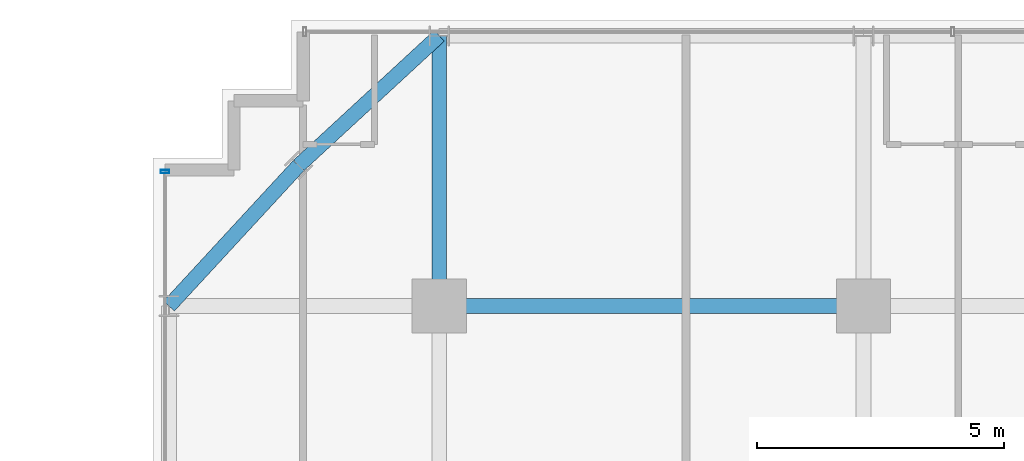
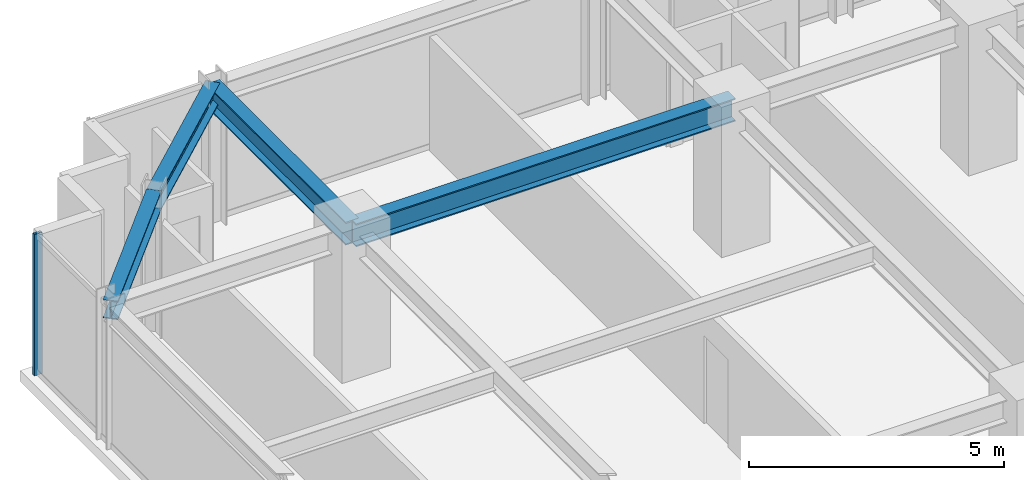
# One storey, part 18 of 31: 4 beams, 1 member, 1 element without a shape of its own.
"""IFC4 building model written with IfcOpenShell, lengths in metres."""

import ifcopenshell
import ifcopenshell.guid

model = None  # the IFC model being written
_history = None  # IfcOwnerHistory: only IFC2X3 demands one
_inside = {}  # id of a spatial element -> (the spatial element, [elements in it])
_under = {}  # id of a project, library or spatial element -> (it, [spatial elements below it])
_declared = {}  # id of a project -> (the project, [libraries it declares])
_typed = {}  # id of a type object -> (the type object, [elements of that type])
_made_of = {}  # id of a material, layer set ... -> (it, [elements and type objects made of it])


def new_model(schema):
    """Start an empty IFC model of exactly this schema.

    Asked for "IFC4X3", IfcOpenShell would pick the latest addendum, in which some entities
    have other attributes; the version numbers below select the first issue.
    IFC2X3 requires an IfcOwnerHistory on every rooted entity: one is made here for all.
    """
    global model, _history
    if schema == "IFC4X3":
        model = ifcopenshell.file(schema_version=(4, 3, 0, 0))
    else:
        model = ifcopenshell.file(schema=schema)
    _inside.clear()
    _under.clear()
    _declared.clear()
    _typed.clear()
    _made_of.clear()
    _history = None
    if model.schema == "IFC2X3":
        org = make("IfcOrganization", Name="unknown")
        user = make(
            "IfcPersonAndOrganization",
            ThePerson=make("IfcPerson", FamilyName="unknown"),
            TheOrganization=org,
        )
        app = make(
            "IfcApplication",
            ApplicationDeveloper=org,
            Version="unknown",
            ApplicationFullName="unknown",
            ApplicationIdentifier="unknown",
        )
        _history = make(
            "IfcOwnerHistory",
            OwningUser=user,
            OwningApplication=app,
            ChangeAction="ADDED",
            CreationDate=0,
        )
    return model


def make(cls, **values):
    """One entity of the class cls with the attributes given. An attribute that is None is left unset."""
    return model.create_entity(
        cls, **{name: value for name, value in values.items() if value is not None}
    )


def rooted(cls, **values):
    """An entity with a GlobalId (a new one), such as an element, a storey or a relation."""
    return make(cls, GlobalId=ifcopenshell.guid.new(), OwnerHistory=_history, **values)


def si_unit(unit_type, name, prefix=None):
    """IfcSIUnit, for example si_unit("LENGTHUNIT", "METRE", prefix="MILLI")."""
    return make("IfcSIUnit", UnitType=unit_type, Prefix=prefix, Name=name)


def assignment(units):
    """IfcUnitAssignment: the units of a project."""
    return None if units is None else make("IfcUnitAssignment", Units=units)


def point(xyz):
    """IfcCartesianPoint."""
    return None if xyz is None else make("IfcCartesianPoint", Coordinates=xyz)


def direction(xyz):
    """IfcDirection."""
    return None if xyz is None else make("IfcDirection", DirectionRatios=xyz)


def frame(location, z_axis=None, x_axis=None):
    """IfcAxis2Placement3D, a coordinate frame: its origin and axes. An axis left out is left unset."""
    return make(
        "IfcAxis2Placement3D",
        Location=point(location),
        Axis=direction(z_axis),
        RefDirection=direction(x_axis),
    )


def frame_2d(location, x_axis=None):
    """IfcAxis2Placement2D, a coordinate frame in the plane: its origin and x axis."""
    return make(
        "IfcAxis2Placement2D", Location=point(location), RefDirection=direction(x_axis)
    )


def origin():
    """The frame at (0, 0, 0) with its axes left unset."""
    return frame((0.0, 0.0, 0.0))


def origin_2d():
    """The frame at (0, 0) in the plane with its x axis left unset."""
    return frame_2d((0.0, 0.0))


def place(relative_to, where):
    """IfcLocalPlacement: puts the frame where relative to a parent placement (None: the world)."""
    return make(
        "IfcLocalPlacement", PlacementRelTo=relative_to, RelativePlacement=where
    )


def context(
    kind, dimensions, precision=None, world=None, true_north=None, identifier=None
):
    """IfcGeometricRepresentationContext, for example the 3D "Model" context."""
    return make(
        "IfcGeometricRepresentationContext",
        ContextIdentifier=identifier,
        ContextType=kind,
        CoordinateSpaceDimension=dimensions,
        Precision=precision,
        WorldCoordinateSystem=world,
        TrueNorth=true_north,
    )


def subcontext(parent, identifier, kind, view, scale=None):
    """IfcGeometricRepresentationSubContext, for example "Body" below "Model"."""
    return make(
        "IfcGeometricRepresentationSubContext",
        ContextIdentifier=identifier,
        ContextType=kind,
        ParentContext=parent,
        TargetScale=scale,
        TargetView=view,
    )


def project(units=None, contexts=None):
    """IfcProject with its units and contexts."""
    return rooted(
        "IfcProject",
        Name="project",
        RepresentationContexts=contexts,
        UnitsInContext=assignment(units),
    )


def spatial(cls, under=None, at=None, **own):
    """A site, building, storey or space (cls), placed at a placement, below another one or the project."""
    s = rooted(cls, ObjectPlacement=at, **own)
    if under is not None:
        _under.setdefault(under.id(), (under, []))[1].append(s)
    return s


def profile(cls, at=None, kind="AREA", **sizes):
    """A parametric profile (cls). Its sizes go by their IFC names, for example OverallWidth=200.0."""
    return make(cls, ProfileType=kind, Position=at, **sizes)


def hollow_rectangle(**sizes):
    """IfcRectangleHollowProfileDef."""
    return profile("IfcRectangleHollowProfileDef", **sizes)


def i_section(**sizes):
    """IfcIShapeProfileDef."""
    return profile("IfcIShapeProfileDef", **sizes)


def extrude(swept, where, along, depth):
    """IfcExtrudedAreaSolid: the profile swept, set in the frame where, extruded along a direction by depth."""
    return make(
        "IfcExtrudedAreaSolid",
        SweptArea=swept,
        Position=where,
        ExtrudedDirection=direction(along),
        Depth=depth,
    )


def shape(context_of_items, identifier, shape_type, items):
    """IfcShapeRepresentation: the items that make up one representation, for example the "Body"."""
    return make(
        "IfcShapeRepresentation",
        ContextOfItems=context_of_items,
        RepresentationIdentifier=identifier,
        RepresentationType=shape_type,
        Items=items,
    )


def source(mapping_origin, context_of_items, identifier, shape_type, items):
    """IfcRepresentationMap: a shape defined once, which mapped items show again and again."""
    return make(
        "IfcRepresentationMap",
        MappingOrigin=mapping_origin,
        MappedRepresentation=shape(context_of_items, identifier, shape_type, items),
    )


def transform(
    local_origin,
    x_axis=None,
    y_axis=None,
    z_axis=None,
    scale=None,
    scale2=None,
    scale3=None,
    uniform=True,
):
    """IfcCartesianTransformationOperator3D, or its non-uniform kind. x_axis, y_axis, z_axis: its Axis1, 2, 3."""
    if uniform:
        return make(
            "IfcCartesianTransformationOperator3D",
            Axis1=direction(x_axis),
            Axis2=direction(y_axis),
            LocalOrigin=point(local_origin),
            Scale=scale,
            Axis3=direction(z_axis),
        )
    return make(
        "IfcCartesianTransformationOperator3DnonUniform",
        Axis1=direction(x_axis),
        Axis2=direction(y_axis),
        LocalOrigin=point(local_origin),
        Scale=scale,
        Axis3=direction(z_axis),
        Scale2=scale2,
        Scale3=scale3,
    )


def mapped(mapping_source, mapping_target):
    """IfcMappedItem: shows the shape of a source again, moved by a transform."""
    return make(
        "IfcMappedItem", MappingSource=mapping_source, MappingTarget=mapping_target
    )


def material(Name=None, Category=None):
    """IfcMaterial."""
    return make("IfcMaterial", Name=Name, Category=Category)


def material_profile(
    of_material, cross_section, Name=None, Category=None, Priority=None
):
    """IfcMaterialProfile: a cross section and its material."""
    return make(
        "IfcMaterialProfile",
        Name=Name,
        Material=of_material,
        Profile=cross_section,
        Priority=Priority,
        Category=Category,
    )


def profile_set(profiles, Name=None, composite=None):
    """IfcMaterialProfileSet."""
    return make(
        "IfcMaterialProfileSet",
        Name=Name,
        MaterialProfiles=profiles,
        CompositeProfile=composite,
    )


def made_of(thing, what):
    """Note that an element or type object is made of a material, layer set ...; save() writes the relation."""
    if what is not None:
        _made_of.setdefault(what.id(), (what, []))[1].append(thing)
    return thing


def type_object(cls, material=None, **own):
    """A type object (cls), such as IfcWallType, which elements share."""
    return made_of(rooted(cls, **own), material)


def element(
    cls,
    number,
    at=None,
    inside=None,
    cuts=None,
    type_object=None,
    material=None,
    context=None,
    identifier="Body",
    shape_type=None,
    held_by="IfcProductDefinitionShape",
    body=None,
    shapes=None,
    **own,
):
    """One element of the class cls, such as IfcWall. Its Tag is "e" and its number.

    at: its placement. inside: the storey or other place that contains it. cuts: it is an
    opening in that element (IfcRelVoidsElement). A single representation is given by context,
    identifier, shape_type and body (its items); several are given by shapes. held_by: the class
    of the entity that holds the representations. save() writes the other relations.
    """
    e = rooted(cls, Tag="e%d" % number, ObjectPlacement=at, **own)
    if body is not None:
        shapes = [shape(context, identifier, shape_type, body)]
    if shapes is not None:
        e.Representation = make(held_by, Representations=shapes)
    if inside is not None:
        _inside.setdefault(inside.id(), (inside, []))[1].append(e)
    if cuts is not None:
        rooted(
            "IfcRelVoidsElement", RelatingBuildingElement=cuts, RelatedOpeningElement=e
        )
    if type_object is not None:
        _typed.setdefault(type_object.id(), (type_object, []))[1].append(e)
    return made_of(e, material)


def aggregate(whole, parts):
    """IfcRelAggregates: a whole, such as a stair, and the parts it consists of."""
    return rooted("IfcRelAggregates", RelatingObject=whole, RelatedObjects=parts)


def save(model, path):
    """Write the relations noted so far, then the file.

    IfcRelAggregates (storeys below a building ...), IfcRelContainedInSpatialStructure (elements
    in a storey), IfcRelDefinesByType, IfcRelAssociatesMaterial and IfcRelDeclares: one each for
    every whole, place, type object, material and project.
    """
    for whole, parts in _under.values():
        aggregate(whole, parts)
    for where, things in _inside.values():
        rooted(
            "IfcRelContainedInSpatialStructure",
            RelatedElements=things,
            RelatingStructure=where,
        )
    for kind, things in _typed.values():
        rooted("IfcRelDefinesByType", RelatedObjects=things, RelatingType=kind)
    for what, things in _made_of.values():
        rooted("IfcRelAssociatesMaterial", RelatedObjects=things, RelatingMaterial=what)
    for by, libraries in _declared.values():
        rooted("IfcRelDeclares", RelatingContext=by, RelatedDefinitions=libraries)
    model.write(path)


model = new_model("IFC4")

# Units and contexts
model_context = context("Model", 3, precision=1e-05, world=origin(), true_north=direction((0.0, 1.0)))
body_context = subcontext(model_context, "Body", "Model", "MODEL_VIEW")
ifc_project = project(units=[si_unit("LENGTHUNIT", "METRE"), si_unit("AREAUNIT", "SQUARE_METRE"), si_unit("VOLUMEUNIT", "CUBIC_METRE"), si_unit("PLANEANGLEUNIT", "RADIAN"), si_unit("MASSUNIT", "GRAM", prefix="KILO")], contexts=[model_context])

# Site, building, storey
site_placement = place(None, origin())
site = spatial("IfcSite", under=ifc_project, at=site_placement, CompositionType="ELEMENT")
building_placement = place(site_placement, origin())
building = spatial("IfcBuilding", under=site, at=building_placement, Name="Nahalor Promenade Grand Hotel", CompositionType="ELEMENT")
storey_placement = place(building_placement, frame((0.0, 0.0, 156.300048828125)))
storey = spatial("IfcBuildingStorey", under=building, at=storey_placement, Name="L39", CompositionType="ELEMENT", Elevation=156.300048828125)

# Beams
ifc_material_1 = material(Name="Steel S355JR", Category="steel")
ifc_material_profile_1 = material_profile(ifc_material_1, i_section(OverallWidth=0.3, OverallDepth=0.55, WebThickness=0.015, FlangeThickness=0.029, at=origin_2d()), Name="HEB 550")
ifc_profile_set_1 = profile_set([ifc_material_profile_1], Name="Steel S355JR")
beam_type_1 = type_object("IfcBeamType", Name="Beam-Girder-HEB550", PredefinedType="BEAM", material=ifc_profile_set_1)
shared_shape_1 = source(origin(), body_context, "Body", "SweptSolid", [
    extrude(i_section(OverallWidth=0.3, OverallDepth=0.55, WebThickness=0.015, FlangeThickness=0.029, at=origin_2d()), origin(), (0.0, 0.0, 1.0), 8.60009765625),
])
beam_1_placement = place(storey_placement, frame((-17.0, 17.0, 3.114990234375), z_axis=(1.0, 0.0, 0.0), x_axis=(0.0, 1.0, 0.0)))
element("IfcBeam", 1, at=beam_1_placement, inside=storey, type_object=beam_type_1, Name="BM-L39-GX-3-1", PredefinedType="BEAM", context=body_context, shape_type="MappedRepresentation", body=[
    mapped(shared_shape_1, transform((0.0, 0.0, 0.0), scale=1.0)),
])
shared_shape_2 = source(origin(), body_context, "Body", "SweptSolid", [
    extrude(i_section(OverallWidth=0.3, OverallDepth=0.55, WebThickness=0.015, FlangeThickness=0.029, at=origin_2d()), origin(), (0.0, 0.0, 1.0), 5.47998046875),
])
beam_2_placement = place(storey_placement, frame((-17.0, 17.0, 3.114990234375), z_axis=(0.0, 1.0, 0.0), x_axis=(-1.0, 0.0, 0.0)))
element("IfcBeam", 2, at=beam_2_placement, inside=storey, type_object=beam_type_1, Name="BM-L39-GY-0-4", PredefinedType="BEAM", context=body_context, shape_type="MappedRepresentation", body=[
    mapped(shared_shape_2, transform((0.0, 0.0, 0.0), scale=1.0)),
])
ifc_material_profile_2 = material_profile(ifc_material_1, i_section(OverallWidth=0.3, OverallDepth=0.45, WebThickness=0.014, FlangeThickness=0.026, at=origin_2d()), Name="HEB 450")
ifc_profile_set_2 = profile_set([ifc_material_profile_2], Name="Steel S355JR")
beam_type_2 = type_object("IfcBeamType", Name="Beam-Spandrel-HEB450", PredefinedType="SPANDREL", material=ifc_profile_set_2)
shared_shape_3 = source(origin(), body_context, "Body", "SweptSolid", [
    extrude(i_section(OverallWidth=0.3, OverallDepth=0.45, WebThickness=0.014, FlangeThickness=0.026, at=origin_2d()), origin(), (0.0, 0.0, 1.0), 3.878173828125),
])
for number, where, z_axis, x_axis, name in (
    (3, (-17.0, 22.47998046875, 3.1650390625), (-0.73492893846, -0.678144125843, 0.0), (0.678144125843, -0.73492893846, 0.0), "BM-L39-SPC-NW-1"),
    (4, (-19.85009765625, 19.85009765625, 3.1650390625), (-0.678144125843, -0.73492893846, 0.0), (0.73492893846, -0.678144125843, 0.0), "BM-L39-SPC-NW-2"),
):
    element("IfcBeam", number, at=place(storey_placement, frame(where, z_axis=z_axis, x_axis=x_axis)), inside=storey, type_object=beam_type_2, Name=name, PredefinedType="SPANDREL", context=body_context, shape_type="MappedRepresentation", body=[
        mapped(shared_shape_3, transform((0.0, 0.0, 0.0), scale=1.0)),
    ])

# Curtain wall, member
ifc_material_2 = material(Name="Anodised Bronze Aluminium EN AW-6063 T6", Category="aluminium")
curtain_wall_type = type_object("IfcCurtainWallType", Name="CW2 Typical Hotel Flush Bronze Unitised Curtain Wall", PredefinedType="USERDEFINED", material=ifc_material_2)
curtain_wall_placement = place(storey_placement, origin())
curtain_wall = element("IfcCurtainWall", 5, at=curtain_wall_placement, inside=storey, type_object=curtain_wall_type, Name="L39 Curtain Wall CW-L39-W-3", ObjectType="UNITISED_CURTAIN_WALL", PredefinedType="USERDEFINED")
ifc_material_profile_3 = material_profile(ifc_material_2, hollow_rectangle(XDim=0.065, YDim=0.18, WallThickness=0.004, at=origin_2d()), Name="CWM 65x180x4")
ifc_profile_set_3 = profile_set([ifc_material_profile_3], Name="Anodised Bronze Aluminium EN AW-6063 T6")
member_type = type_object("IfcMemberType", Name="CWM2 Typical Bronze Mullion 65x180", PredefinedType="MULLION", material=ifc_profile_set_3)
shared_shape_4 = source(origin(), body_context, "Body", "SweptSolid", [
    extrude(hollow_rectangle(XDim=0.065, YDim=0.18, WallThickness=0.004, at=origin_2d()), origin(), (0.0, 0.0, 1.0), 3.389892578125),
])
member_placement = place(storey_placement, frame((-22.56005859375, 19.7275390625, 0.0), z_axis=(0.0, 0.0, 1.0), x_axis=(0.0, 1.0, 0.0)))
member = element("IfcMember", 6, at=member_placement, type_object=member_type, Name="CW-L39-W-3 Mullion 2", PredefinedType="MULLION", context=body_context, shape_type="MappedRepresentation", body=[
    mapped(shared_shape_4, transform((0.0, 0.0, 0.0), scale=1.0)),
])
aggregate(curtain_wall, [member])

save(model, "model.ifc")
